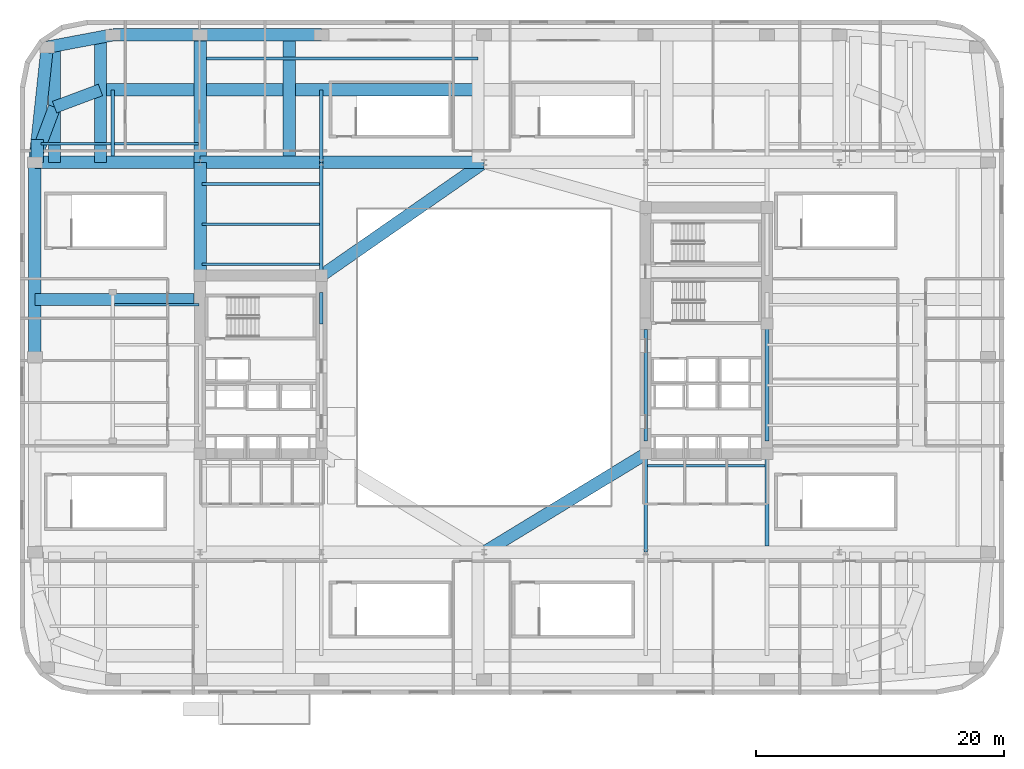
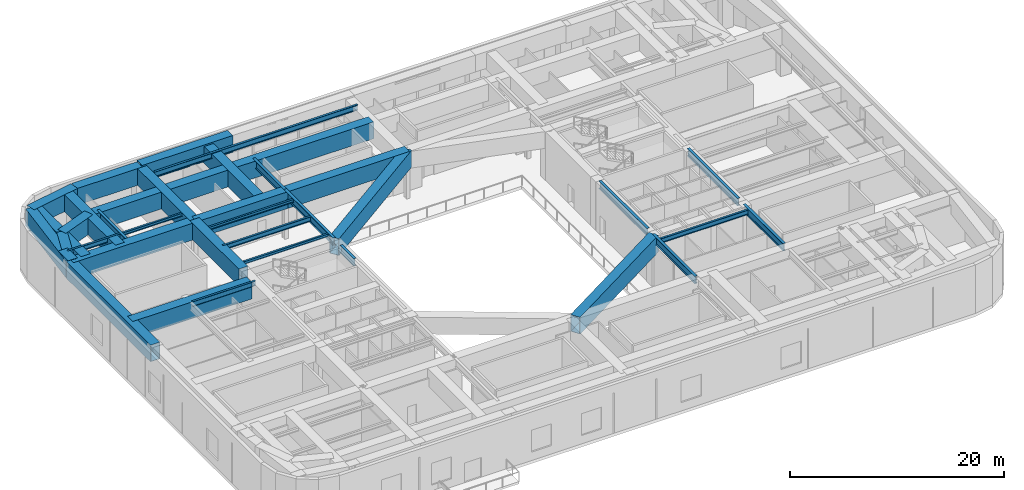
# One storey, part 2 of 16: 37 beams.
"""IFC4 building model written with IfcOpenShell, lengths in metres."""

from ifc_helpers import new_model, si_unit, direction, frame, origin, origin_2d, place, context, subcontext, project, spatial, hollow_rectangle, i_section, extrude, material, material_profile, profile_set, type_object, element, save


model = new_model("IFC4")

# Units and contexts
model_context = context("Model", 3, precision=1e-05, world=origin(), true_north=direction((0.0, 1.0)))
body_context = subcontext(model_context, "Body", "Model", "MODEL_VIEW")
ifc_project = project(units=[si_unit("LENGTHUNIT", "METRE"), si_unit("AREAUNIT", "SQUARE_METRE"), si_unit("VOLUMEUNIT", "CUBIC_METRE"), si_unit("PLANEANGLEUNIT", "RADIAN"), si_unit("MASSUNIT", "GRAM", prefix="KILO")], contexts=[model_context])

# Site, building, storey
site_placement = place(None, origin())
site = spatial("IfcSite", under=ifc_project, at=site_placement, CompositionType="ELEMENT")
building_placement = place(site_placement, origin())
building = spatial("IfcBuilding", under=site, at=building_placement, Name="Kolvaren Arena Tower", CompositionType="ELEMENT")
storey_placement = place(building_placement, frame((0.0, 0.0, 28.0)))
storey = spatial("IfcBuildingStorey", under=building, at=storey_placement, Name="L05", CompositionType="ELEMENT", Elevation=28.0)

# Beams
ifc_material_1 = material(Name="Steel CSA G40.21 350W", Category="steel")
ifc_material_profile_1 = material_profile(ifc_material_1, i_section(OverallWidth=0.2119140625, OverallDepth=0.54296875, WebThickness=0.01318359375, FlangeThickness=0.0244140625, FilletRadius=0.013916015625, at=origin_2d()), Name="W530x150")
ifc_profile_set_1 = profile_set([ifc_material_profile_1], Name="Steel CSA G40.21 350W")
beam_type_1 = type_object("IfcBeamType", Name="BEAM-F1", PredefinedType="BEAM", material=ifc_profile_set_1)
beam_1_placement = place(storey_placement, frame((50.696044921875, 18.5, 5.278564453125), z_axis=(1.0, 0.0, 0.0), x_axis=(0.0, 1.0, 0.0)))
element("IfcBeam", 1, at=beam_1_placement, inside=storey, type_object=beam_type_1, Name="Composite Floor Beam (L05)", PredefinedType="BEAM", context=body_context, shape_type="SweptSolid", body=[
    extrude(i_section(OverallWidth=0.2119140625, OverallDepth=0.54296875, WebThickness=0.01318359375, FlangeThickness=0.0244140625, FilletRadius=0.013916015625, at=origin_2d()), origin(), (0.0, 0.0, 1.0), 9.508056640625),
])
beam_2_placement = place(storey_placement, frame((7.64599609375, 31.5, 5.278564453125), z_axis=(1.0, 0.0, 0.0), x_axis=(0.0, 1.0, 0.0)))
element("IfcBeam", 2, at=beam_2_placement, inside=storey, type_object=beam_type_1, Name="Composite Floor Beam (L05)", PredefinedType="BEAM", context=body_context, shape_type="SweptSolid", body=[
    extrude(i_section(OverallWidth=0.2119140625, OverallDepth=0.54296875, WebThickness=0.01318359375, FlangeThickness=0.0244140625, FilletRadius=0.013916015625, at=origin_2d()), origin(), (0.0, 0.0, 1.0), 6.833984375),
])
beam_3_placement = place(storey_placement, frame((14.696044921875, 38.0, 5.278564453125), z_axis=(1.0, 0.0, 0.0), x_axis=(0.0, 1.0, 0.0)))
element("IfcBeam", 3, at=beam_3_placement, inside=storey, type_object=beam_type_1, Name="Composite Floor Beam (L05)", PredefinedType="BEAM", context=body_context, shape_type="SweptSolid", body=[
    extrude(i_section(OverallWidth=0.2119140625, OverallDepth=0.54296875, WebThickness=0.01318359375, FlangeThickness=0.0244140625, FilletRadius=0.013916015625, at=origin_2d()), origin(), (0.0, 0.0, 1.0), 9.508056640625),
])
beam_4_placement = place(storey_placement, frame((1.681396484375, 44.5, 5.278564453125), z_axis=(1.0, 0.0, 0.0), x_axis=(0.0, 1.0, 0.0)))
element("IfcBeam", 4, at=beam_4_placement, inside=storey, type_object=beam_type_1, Name="Composite Floor Beam (L05)", PredefinedType="BEAM", context=body_context, shape_type="SweptSolid", body=[
    extrude(i_section(OverallWidth=0.2119140625, OverallDepth=0.54296875, WebThickness=0.01318359375, FlangeThickness=0.0244140625, FilletRadius=0.013916015625, at=origin_2d()), origin(), (0.0, 0.0, 1.0), 5.672607421875),
])
ifc_material_profile_2 = material_profile(ifc_material_1, i_section(OverallWidth=0.2919921875, OverallDepth=0.85498046875, WebThickness=0.02099609375, FlangeThickness=0.03564453125, FilletRadius=0.01806640625, at=origin_2d()), Name="W840x299")
ifc_profile_set_2 = profile_set([ifc_material_profile_2], Name="Steel CSA G40.21 350W")
beam_type_2 = type_object("IfcBeamType", Name="GIRD-P1", PredefinedType="BEAM", material=ifc_profile_set_2)
beam_5_placement = place(storey_placement, frame((7.5, 43.5, 5.12255859375), z_axis=(0.0, 1.0, 0.0), x_axis=(-1.0, 0.0, 0.0)))
element("IfcBeam", 5, at=beam_5_placement, inside=storey, type_object=beam_type_2, Name="Primary Floor Girder (L05)", PredefinedType="BEAM", context=body_context, shape_type="SweptSolid", body=[
    extrude(i_section(OverallWidth=0.2919921875, OverallDepth=0.85498046875, WebThickness=0.02099609375, FlangeThickness=0.03564453125, FilletRadius=0.01806640625, at=origin_2d()), origin(), (0.0, 0.0, 1.0), 5.35009765625),
])
beam_6_placement = place(storey_placement, frame((24.35009765625, 29.949951171875, 5.12255859375), z_axis=(0.0, 1.0, 0.0), x_axis=(-1.0, 0.0, 0.0)))
element("IfcBeam", 6, at=beam_6_placement, inside=storey, type_object=beam_type_2, Name="Primary Floor Girder (L05)", PredefinedType="BEAM", context=body_context, shape_type="SweptSolid", body=[
    extrude(i_section(OverallWidth=0.2919921875, OverallDepth=0.85498046875, WebThickness=0.02099609375, FlangeThickness=0.03564453125, FilletRadius=0.01806640625, at=origin_2d()), origin(), (0.0, 0.0, 1.0), 2.550048828125),
])
beam_7_placement = place(storey_placement, frame((24.35009765625, 33.85009765625, 5.12255859375), z_axis=(0.0, 1.0, 0.0), x_axis=(-1.0, 0.0, 0.0)))
element("IfcBeam", 7, at=beam_7_placement, inside=storey, type_object=beam_type_2, Name="Primary Floor Girder (L05)", PredefinedType="BEAM", context=body_context, shape_type="SweptSolid", body=[
    extrude(i_section(OverallWidth=0.2919921875, OverallDepth=0.85498046875, WebThickness=0.02099609375, FlangeThickness=0.03564453125, FilletRadius=0.01806640625, at=origin_2d()), origin(), (0.0, 0.0, 1.0), 9.14990234375),
])
beam_8_placement = place(storey_placement, frame((24.35009765625, 43.0, 5.12255859375), z_axis=(0.0, 1.0, 0.0), x_axis=(-1.0, 0.0, 0.0)))
element("IfcBeam", 8, at=beam_8_placement, inside=storey, type_object=beam_type_2, Name="Primary Floor Girder (L05)", PredefinedType="BEAM", context=body_context, shape_type="SweptSolid", body=[
    extrude(i_section(OverallWidth=0.2919921875, OverallDepth=0.85498046875, WebThickness=0.02099609375, FlangeThickness=0.03564453125, FilletRadius=0.01806640625, at=origin_2d()), origin(), (0.0, 0.0, 1.0), 5.85009765625),
])
beam_9_placement = place(storey_placement, frame((50.550048828125, 11.5, 5.12255859375), z_axis=(0.0, 1.0, 0.0), x_axis=(-1.0, 0.0, 0.0)))
element("IfcBeam", 9, at=beam_9_placement, inside=storey, type_object=beam_type_2, Name="Primary Floor Girder (L05)", PredefinedType="BEAM", context=body_context, shape_type="SweptSolid", body=[
    extrude(i_section(OverallWidth=0.2919921875, OverallDepth=0.85498046875, WebThickness=0.02099609375, FlangeThickness=0.03564453125, FilletRadius=0.01806640625, at=origin_2d()), origin(), (0.0, 0.0, 1.0), 7.949951171875),
])
beam_10_placement = place(storey_placement, frame((50.550048828125, 20.5, 5.12255859375), z_axis=(0.0, 1.0, 0.0), x_axis=(-1.0, 0.0, 0.0)))
element("IfcBeam", 10, at=beam_10_placement, inside=storey, type_object=beam_type_2, Name="Primary Floor Girder (L05)", PredefinedType="BEAM", context=body_context, shape_type="SweptSolid", body=[
    extrude(i_section(OverallWidth=0.2919921875, OverallDepth=0.85498046875, WebThickness=0.02099609375, FlangeThickness=0.03564453125, FilletRadius=0.01806640625, at=origin_2d()), origin(), (0.0, 0.0, 1.0), 8.989990234375),
])
beam_11_placement = place(storey_placement, frame((60.35009765625, 12.0, 5.12255859375), z_axis=(0.0, 1.0, 0.0), x_axis=(-1.0, 0.0, 0.0)))
element("IfcBeam", 11, at=beam_11_placement, inside=storey, type_object=beam_type_2, Name="Primary Floor Girder (L05)", PredefinedType="BEAM", context=body_context, shape_type="SweptSolid", body=[
    extrude(i_section(OverallWidth=0.2919921875, OverallDepth=0.85498046875, WebThickness=0.02099609375, FlangeThickness=0.03564453125, FilletRadius=0.01806640625, at=origin_2d()), origin(), (0.0, 0.0, 1.0), 7.449951171875),
])
beam_12_placement = place(storey_placement, frame((60.35009765625, 20.5, 5.12255859375), z_axis=(0.0, 1.0, 0.0), x_axis=(-1.0, 0.0, 0.0)))
element("IfcBeam", 12, at=beam_12_placement, inside=storey, type_object=beam_type_2, Name="Primary Floor Girder (L05)", PredefinedType="BEAM", context=body_context, shape_type="SweptSolid", body=[
    extrude(i_section(OverallWidth=0.2919921875, OverallDepth=0.85498046875, WebThickness=0.02099609375, FlangeThickness=0.03564453125, FilletRadius=0.01806640625, at=origin_2d()), origin(), (0.0, 0.0, 1.0), 9.449951171875),
])
ifc_material_profile_3 = material_profile(ifc_material_1, i_section(OverallWidth=0.22802734375, OverallDepth=0.615966796875, WebThickness=0.013916015625, FlangeThickness=0.02490234375, FilletRadius=0.014892578125, at=origin_2d()), Name="W610x174")
ifc_profile_set_3 = profile_set([ifc_material_profile_3], Name="Steel CSA G40.21 350W")
beam_type_3 = type_object("IfcBeamType", Name="GIRD-T3", PredefinedType="BEAM", material=ifc_profile_set_3)
beam_13_placement = place(storey_placement, frame((15.050048828125, 51.39990234375, 5.409912109375), z_axis=(1.0, 0.0, 0.0), x_axis=(0.0, 1.0, 0.0)))
element("IfcBeam", 13, at=beam_13_placement, inside=storey, type_object=beam_type_3, Name="Podium Low-Roof Support Beam 2 (L05)", PredefinedType="BEAM", context=body_context, shape_type="SweptSolid", body=[
    extrude(i_section(OverallWidth=0.22802734375, OverallDepth=0.615966796875, WebThickness=0.013916015625, FlangeThickness=0.02490234375, FilletRadius=0.014892578125, at=origin_2d()), origin(), (0.0, 0.0, 1.0), 21.949951171875),
])
ifc_material_profile_4 = material_profile(ifc_material_1, i_section(OverallWidth=0.202880859375, OverallDepth=0.346923828125, WebThickness=0.0078125, FlangeThickness=0.013427734375, FilletRadius=0.010986328125, at=origin_2d()), Name="W360x64")
ifc_profile_set_4 = profile_set([ifc_material_profile_4], Name="Steel CSA G40.21 350W")
beam_type_4 = type_object("IfcBeamType", Name="JOIST-01", PredefinedType="JOIST", material=ifc_profile_set_4)
for number, where, z_axis, x_axis, name in (
    (14, (14.696044921875, 34.75, 5.37646484375), (1.0, 0.0, 0.0), (0.0, 1.0, 0.0), "Composite Floor Joist (L05)"),
    (15, (14.696044921875, 41.25, 5.37646484375), (1.0, 0.0, 0.0), (0.0, 1.0, 0.0), "Composite Floor Joist (L05)"),
):
    element("IfcBeam", number, at=place(storey_placement, frame(where, z_axis=z_axis, x_axis=x_axis)), inside=storey, type_object=beam_type_4, Name=name, PredefinedType="JOIST", context=body_context, shape_type="SweptSolid", body=[
        extrude(i_section(OverallWidth=0.202880859375, OverallDepth=0.346923828125, WebThickness=0.0078125, FlangeThickness=0.013427734375, FilletRadius=0.010986328125, at=origin_2d()), origin(), (0.0, 0.0, 1.0), 9.508056640625),
    ])
beam_14_placement = place(storey_placement, frame((7.64599609375, 44.5, 5.37646484375), z_axis=(1.0, 0.0, 0.0), x_axis=(0.0, 1.0, 0.0)))
element("IfcBeam", 16, at=beam_14_placement, inside=storey, type_object=beam_type_4, Name="Composite Floor Joist (L05)", PredefinedType="JOIST", context=body_context, shape_type="SweptSolid", body=[
    extrude(i_section(OverallWidth=0.202880859375, OverallDepth=0.346923828125, WebThickness=0.0078125, FlangeThickness=0.013427734375, FilletRadius=0.010986328125, at=origin_2d()), origin(), (0.0, 0.0, 1.0), 6.758056640625),
])
ifc_material_2 = material(Name="Steel CSA G40.21 350WT", Category="steel")
ifc_material_profile_5 = material_profile(ifc_material_2, hollow_rectangle(XDim=1.0, YDim=1.919921875, WallThickness=0.044921875, at=origin_2d()), Name="BOX 1000x1920x45")
ifc_profile_set_5 = profile_set([ifc_material_profile_5], Name="Steel CSA G40.21 350WT")
beam_type_5 = type_object("IfcBeamType", Name="TG-MEGA", PredefinedType="USERDEFINED", material=ifc_profile_set_5)
beam_15_placement = place(storey_placement, frame((24.35009765625, 53.300048828125, 4.760009765625), z_axis=(-1.0, 0.0, 0.0), x_axis=(0.0, -1.0, 0.0)))
element("IfcBeam", 17, at=beam_15_placement, inside=storey, type_object=beam_type_5, Name="Podium Perimeter Transfer Girder 18", ObjectType="TRANSFER GIRDER", PredefinedType="USERDEFINED", context=body_context, shape_type="SweptSolid", body=[
    extrude(hollow_rectangle(XDim=1.0, YDim=1.919921875, WallThickness=0.044921875, at=origin_2d()), origin(), (0.0, 0.0, 1.0), 9.800048828125),
])
beam_16_placement = place(storey_placement, frame((14.550048828125, 53.300048828125, 4.590087890625), z_axis=(-1.0, 0.0, 0.0), x_axis=(0.0, -1.0, 0.0)))
element("IfcBeam", 18, at=beam_16_placement, inside=storey, type_object=beam_type_5, Name="Podium Perimeter Transfer Girder 19", ObjectType="TRANSFER GIRDER", PredefinedType="USERDEFINED", context=body_context, shape_type="SweptSolid", body=[
    extrude(hollow_rectangle(XDim=1.0, YDim=1.919921875, WallThickness=0.044921875, at=origin_2d()), origin(), (0.0, 0.0, 1.0), 7.050048828125),
])
beam_17_placement = place(storey_placement, frame((7.5, 53.300048828125, 4.590087890625), z_axis=(-0.982661964955, -0.185406209796, 0.0), x_axis=(0.185406209796, -0.982661964955, 0.0)))
element("IfcBeam", 19, at=beam_17_placement, inside=storey, type_object=beam_type_5, Name="Podium Perimeter Transfer Girder 20", ObjectType="TRANSFER GIRDER", PredefinedType="USERDEFINED", context=body_context, shape_type="SweptSolid", body=[
    extrude(hollow_rectangle(XDim=1.0, YDim=1.919921875, WallThickness=0.044921875, at=origin_2d()), origin(), (0.0, 0.0, 1.0), 5.3935546875),
])
beam_18_placement = place(storey_placement, frame((2.199951171875, 52.300048828125, 4.590087890625), z_axis=(-0.106910051219, -0.994268696555, 0.0), x_axis=(0.994268696555, -0.106910051219, 0.0)))
element("IfcBeam", 20, at=beam_18_placement, inside=storey, type_object=beam_type_5, Name="Podium Perimeter Transfer Girder 21", ObjectType="TRANSFER GIRDER", PredefinedType="USERDEFINED", context=body_context, shape_type="SweptSolid", body=[
    extrude(hollow_rectangle(XDim=1.0, YDim=1.919921875, WallThickness=0.044921875, at=origin_2d()), origin(), (0.0, 0.0, 1.0), 9.353759765625),
])
beam_19_placement = place(storey_placement, frame((1.199951171875, 43.0, 4.590087890625), z_axis=(0.0, -1.0, 0.0), x_axis=(1.0, 0.0, 0.0)))
element("IfcBeam", 21, at=beam_19_placement, inside=storey, type_object=beam_type_5, Name="Podium Perimeter Transfer Girder 22", ObjectType="TRANSFER GIRDER", PredefinedType="USERDEFINED", context=body_context, shape_type="SweptSolid", body=[
    extrude(hollow_rectangle(XDim=1.0, YDim=1.919921875, WallThickness=0.044921875, at=origin_2d()), origin(), (0.0, 0.0, 1.0), 15.75),
])
beam_20_placement = place(storey_placement, frame((1.199951171875, 43.0, 4.590087890625), z_axis=(1.0, 0.0, 0.0), x_axis=(0.0, 1.0, 0.0)))
element("IfcBeam", 22, at=beam_20_placement, inside=storey, type_object=beam_type_5, Name="Interior Podium Transfer Girder 07", ObjectType="TRANSFER GIRDER", PredefinedType="USERDEFINED", context=body_context, shape_type="SweptSolid", body=[
    extrude(hollow_rectangle(XDim=1.0, YDim=1.919921875, WallThickness=0.044921875, at=origin_2d()), origin(), (0.0, 0.0, 1.0), 13.35009765625),
])
beam_21_placement = place(storey_placement, frame((14.550048828125, 43.0, 4.590087890625), z_axis=(1.0, 0.0, 0.0), x_axis=(0.0, 1.0, 0.0)))
element("IfcBeam", 23, at=beam_21_placement, inside=storey, type_object=beam_type_5, Name="Interior Podium Transfer Girder 08", ObjectType="TRANSFER GIRDER", PredefinedType="USERDEFINED", context=body_context, shape_type="SweptSolid", body=[
    extrude(hollow_rectangle(XDim=1.0, YDim=1.919921875, WallThickness=0.044921875, at=origin_2d()), origin(), (0.0, 0.0, 1.0), 9.800048828125),
])
beam_22_placement = place(storey_placement, frame((24.35009765625, 43.0, 4.590087890625), z_axis=(1.0, 0.0, 0.0), x_axis=(0.0, 1.0, 0.0)))
element("IfcBeam", 24, at=beam_22_placement, inside=storey, type_object=beam_type_5, Name="Interior Podium Transfer Girder 09", ObjectType="TRANSFER GIRDER", PredefinedType="USERDEFINED", context=body_context, shape_type="SweptSolid", body=[
    extrude(hollow_rectangle(XDim=1.0, YDim=1.919921875, WallThickness=0.044921875, at=origin_2d()), origin(), (0.0, 0.0, 1.0), 13.14990234375),
])
beam_23_placement = place(storey_placement, frame((14.550048828125, 33.85009765625, 4.590087890625), z_axis=(0.0, 1.0, 0.0), x_axis=(-1.0, 0.0, 0.0)))
element("IfcBeam", 25, at=beam_23_placement, inside=storey, type_object=beam_type_5, Name="Interior Podium Transfer Girder 15", ObjectType="TRANSFER GIRDER", PredefinedType="USERDEFINED", context=body_context, shape_type="SweptSolid", body=[
    extrude(hollow_rectangle(XDim=1.0, YDim=1.919921875, WallThickness=0.044921875, at=origin_2d()), origin(), (0.0, 0.0, 1.0), 9.14990234375),
])
for number, where, z_axis, x_axis, name in (
    (26, (14.550048828125, 43.0, 4.590087890625), (0.0, 1.0, 0.0), (-1.0, 0.0, 0.0), "Interior Podium Transfer Girder 16"),
    (27, (21.75, 43.0, 4.590087890625), (0.0, 1.0, 0.0), (-1.0, 0.0, 0.0), "Podium-to-Tower Transfer Girder 15"),
):
    element("IfcBeam", number, at=place(storey_placement, frame(where, z_axis=z_axis, x_axis=x_axis)), inside=storey, type_object=beam_type_5, Name=name, ObjectType="TRANSFER GIRDER", PredefinedType="USERDEFINED", context=body_context, shape_type="SweptSolid", body=[
        extrude(hollow_rectangle(XDim=1.0, YDim=1.919921875, WallThickness=0.044921875, at=origin_2d()), origin(), (0.0, 0.0, 1.0), 10.300048828125),
    ])
beam_24_placement = place(storey_placement, frame((6.5, 43.0, 4.590087890625), z_axis=(0.0, 1.0, 0.0), x_axis=(-1.0, 0.0, 0.0)))
element("IfcBeam", 28, at=beam_24_placement, inside=storey, type_object=beam_type_5, Name="Podium-to-Tower Transfer Girder 16", ObjectType="TRANSFER GIRDER", PredefinedType="USERDEFINED", context=body_context, shape_type="SweptSolid", body=[
    extrude(hollow_rectangle(XDim=1.0, YDim=1.919921875, WallThickness=0.044921875, at=origin_2d()), origin(), (0.0, 0.0, 1.0), 10.111328125),
])
beam_25_placement = place(storey_placement, frame((2.791259765625, 43.0, 4.590087890625), z_axis=(0.0, 1.0, 0.0), x_axis=(-1.0, 0.0, 0.0)))
element("IfcBeam", 29, at=beam_25_placement, inside=storey, type_object=beam_type_5, Name="Podium-to-Tower Transfer Girder 17", ObjectType="TRANSFER GIRDER", PredefinedType="USERDEFINED", context=body_context, shape_type="SweptSolid", body=[
    extrude(hollow_rectangle(XDim=1.0, YDim=1.919921875, WallThickness=0.044921875, at=origin_2d()), origin(), (0.0, 0.0, 1.0), 9.41162109375),
])
beam_26_placement = place(storey_placement, frame((1.39990234375, 43.0, 4.590087890625), z_axis=(0.0, 1.0, 0.0), x_axis=(-1.0, 0.0, 0.0)))
element("IfcBeam", 30, at=beam_26_placement, inside=storey, type_object=beam_type_5, Name="Podium-to-Tower Transfer Girder 18", ObjectType="TRANSFER GIRDER", PredefinedType="USERDEFINED", context=body_context, shape_type="SweptSolid", body=[
    extrude(hollow_rectangle(XDim=1.0, YDim=1.919921875, WallThickness=0.044921875, at=origin_2d()), origin(), (0.0, 0.0, 1.0), 1.860107421875),
])
beam_27_placement = place(storey_placement, frame((1.199951171875, 31.916748046875, 4.590087890625), z_axis=(1.0, 0.0, 0.0), x_axis=(0.0, 1.0, 0.0)))
element("IfcBeam", 31, at=beam_27_placement, inside=storey, type_object=beam_type_5, Name="Podium-to-Tower Transfer Girder 19", ObjectType="TRANSFER GIRDER", PredefinedType="USERDEFINED", context=body_context, shape_type="SweptSolid", body=[
    extrude(hollow_rectangle(XDim=1.0, YDim=1.919921875, WallThickness=0.044921875, at=origin_2d()), origin(), (0.0, 0.0, 1.0), 12.8701171875),
])
for number, where, z_axis, x_axis, name in (
    (32, (37.0, 48.85009765625, 4.590087890625), (-1.0, 0.0, 0.0), (0.0, -1.0, 0.0), "Podium-to-Tower Transfer Ring Girder 14"),
    (33, (21.75, 48.85009765625, 4.590087890625), (-1.0, 0.0, 0.0), (0.0, -1.0, 0.0), "Podium-to-Tower Transfer Ring Girder 15"),
):
    element("IfcBeam", number, at=place(storey_placement, frame(where, z_axis=z_axis, x_axis=x_axis)), inside=storey, type_object=beam_type_5, Name=name, ObjectType="TRANSFER GIRDER", PredefinedType="USERDEFINED", context=body_context, shape_type="SweptSolid", body=[
        extrude(hollow_rectangle(XDim=1.0, YDim=1.919921875, WallThickness=0.044921875, at=origin_2d()), origin(), (0.0, 0.0, 1.0), 15.25),
    ])
for number, where, z_axis, x_axis, name in (
    (34, (6.5, 48.85009765625, 4.590087890625), (-0.93628104365, -0.351251771955, 0.0), (0.351251771955, -0.93628104365, 0.0), "Podium-to-Tower Transfer Ring Girder 16"),
    (35, (2.791259765625, 47.458740234375, 4.590087890625), (-0.351251771955, -0.93628104365, 0.0), (0.93628104365, -0.351251771955, 0.0), "Podium-to-Tower Transfer Ring Girder 17"),
):
    element("IfcBeam", number, at=place(storey_placement, frame(where, z_axis=z_axis, x_axis=x_axis)), inside=storey, type_object=beam_type_5, Name=name, ObjectType="TRANSFER GIRDER", PredefinedType="USERDEFINED", context=body_context, shape_type="SweptSolid", body=[
        extrude(hollow_rectangle(XDim=1.0, YDim=1.919921875, WallThickness=0.044921875, at=origin_2d()), origin(), (0.0, 0.0, 1.0), 3.961181640625),
    ])
beam_28_placement = place(storey_placement, frame((50.550048828125, 19.449951171875, 4.590087890625), z_axis=(-0.854011229344, -0.520254572449, 0.0), x_axis=(0.520254572449, -0.854011229344, 0.0)))
element("IfcBeam", 36, at=beam_28_placement, inside=storey, type_object=beam_type_5, Name="Mega-Transfer A-Frame Base Support Girder 2 (L05)", ObjectType="TRANSFER GIRDER", PredefinedType="USERDEFINED", context=body_context, shape_type="SweptSolid", body=[
    extrude(hollow_rectangle(XDim=1.0, YDim=1.919921875, WallThickness=0.044921875, at=origin_2d()), origin(), (0.0, 0.0, 1.0), 15.281005859375),
])
beam_29_placement = place(storey_placement, frame((24.35009765625, 33.85009765625, 4.590087890625), z_axis=(0.820842451844, 0.571154680669, 0.0), x_axis=(-0.571154680669, 0.820842451844, 0.0)))
element("IfcBeam", 37, at=beam_29_placement, inside=storey, type_object=beam_type_5, Name="Mega-Transfer A-Frame Base Support Girder 3 (L05)", ObjectType="TRANSFER GIRDER", PredefinedType="USERDEFINED", context=body_context, shape_type="SweptSolid", body=[
    extrude(hollow_rectangle(XDim=1.0, YDim=1.919921875, WallThickness=0.044921875, at=origin_2d()), origin(), (0.0, 0.0, 1.0), 16.02001953125),
])

save(model, "model.ifc")
